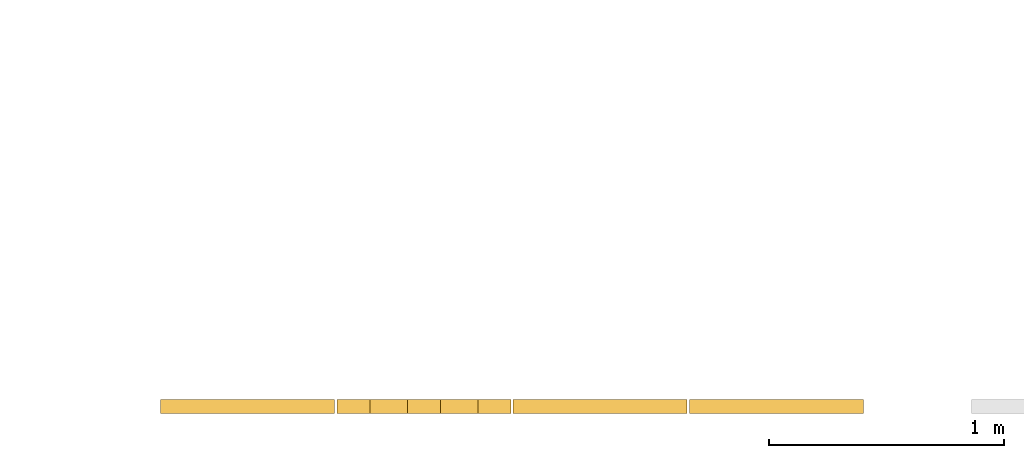
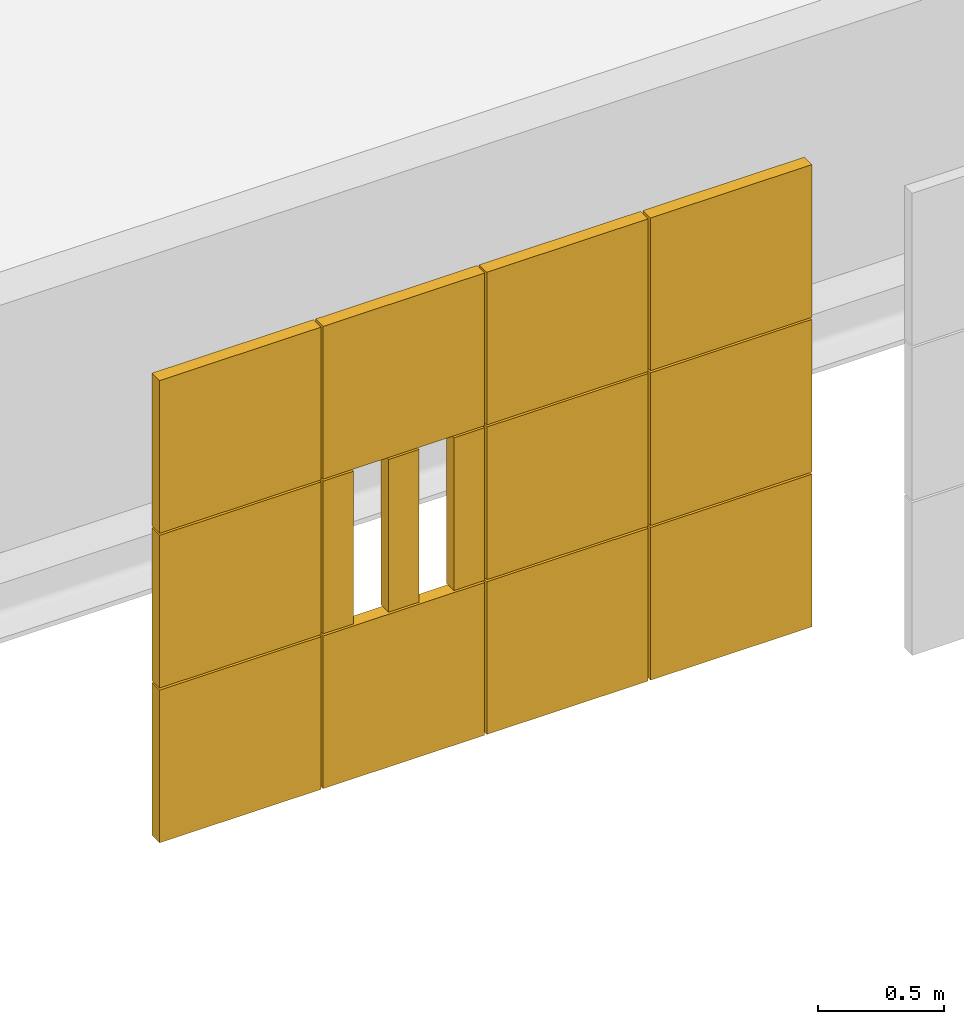
# One storey, part 73 of 98: 2 coverings.
"""IFC4 building model written with IfcOpenShell, lengths in metres."""

from ifc_helpers import new_model, si_unit, direction, frame, origin, origin_2d, place, context, subcontext, project, spatial, rectangle, extrude, material, layer, layer_set, type_object, element, save


model = new_model("IFC4")

# Units and contexts
model_context = context("Model", 3, precision=1e-05, world=origin(), true_north=direction((0.0, 1.0)))
body_context = subcontext(model_context, "Body", "Model", "MODEL_VIEW")
ifc_project = project(units=[si_unit("LENGTHUNIT", "METRE"), si_unit("AREAUNIT", "SQUARE_METRE"), si_unit("VOLUMEUNIT", "CUBIC_METRE"), si_unit("PLANEANGLEUNIT", "RADIAN"), si_unit("MASSUNIT", "GRAM", prefix="KILO")], contexts=[model_context])

# Site, building, storey
site_placement = place(None, origin())
site = spatial("IfcSite", under=ifc_project, at=site_placement, CompositionType="ELEMENT")
building_placement = place(site_placement, origin())
building = spatial("IfcBuilding", under=site, at=building_placement, Name="Sun Court Science Centre", CompositionType="ELEMENT")
storey_placement = place(building_placement, frame((0.0, 0.0, 15.75)))
storey = spatial("IfcBuildingStorey", under=building, at=storey_placement, Name="L03", CompositionType="ELEMENT", Elevation=15.75)

# Coverings
ifc_material_1 = material(Name="Red sandstone", Category="masonry")
ifc_layer_1 = layer(ifc_material_1, 0.06005859375)
ifc_layer_set_1 = layer_set([ifc_layer_1], Name="Red sandstone")
covering_type_1 = type_object("IfcCoveringType", Name="Red sandstone jali relief 750", PredefinedType="CLADDING", material=ifc_layer_set_1)
covering_1_placement = place(storey_placement, frame((0.0, 0.0, -15.75)))
element("IfcCovering", 1, at=covering_1_placement, inside=storey, type_object=covering_type_1, Name="Red sandstone jali relief portal-PORTAL-L L03", PredefinedType="CLADDING", context=body_context, shape_type="SweptSolid", body=[
    extrude(rectangle(XDim=0.139892578125, YDim=0.06005859375, at=origin_2d()), frame((37.72509765625, 3.969970703125, 16.5048828125), z_axis=(0.0, 0.0, 1.0), x_axis=(-1.0, 0.0, 0.0)), (0.0, 0.0, 1.0), 0.739990234375),
    extrude(rectangle(XDim=0.139892578125, YDim=0.06005859375, at=origin_2d()), frame((37.425048828125, 3.969970703125, 16.5048828125), z_axis=(0.0, 0.0, 1.0), x_axis=(-1.0, 0.0, 0.0)), (0.0, 0.0, 1.0), 0.739990234375),
    extrude(rectangle(XDim=0.139892578125, YDim=0.06005859375, at=origin_2d()), frame((37.125, 3.969970703125, 16.5048828125), z_axis=(0.0, 0.0, 1.0), x_axis=(-1.0, 0.0, 0.0)), (0.0, 0.0, 1.0), 0.739990234375),
])
ifc_material_2 = material(Name="Red sandstone", Category="masonry")
ifc_layer_2 = layer(ifc_material_2, 0.06005859375)
ifc_layer_set_2 = layer_set([ifc_layer_2], Name="Red sandstone")
covering_type_2 = type_object("IfcCoveringType", Name="Red sandstone wall cladding 750", PredefinedType="CLADDING", material=ifc_layer_set_2)
covering_2_placement = place(storey_placement, frame((0.0, 0.0, -15.75)))
element("IfcCovering", 2, at=covering_2_placement, inside=storey, type_object=covering_type_2, Name="Red sandstone wall cladding portal-PORTAL-L L03", PredefinedType="CLADDING", context=body_context, shape_type="SweptSolid", body=[
    extrude(rectangle(XDim=0.739990234375, YDim=0.06005859375, at=origin_2d()), frame((38.925048828125, 3.969970703125, 15.7548828125), z_axis=(0.0, 0.0, 1.0), x_axis=(-1.0, 0.0, 0.0)), (0.0, 0.0, 1.0), 0.739990234375),
    extrude(rectangle(XDim=0.739990234375, YDim=0.06005859375, at=origin_2d()), frame((38.175048828125, 3.969970703125, 15.7548828125), z_axis=(0.0, 0.0, 1.0), x_axis=(-1.0, 0.0, 0.0)), (0.0, 0.0, 1.0), 0.739990234375),
    extrude(rectangle(XDim=0.739990234375, YDim=0.06005859375, at=origin_2d()), frame((37.425048828125, 3.969970703125, 15.7548828125), z_axis=(0.0, 0.0, 1.0), x_axis=(-1.0, 0.0, 0.0)), (0.0, 0.0, 1.0), 0.739990234375),
    extrude(rectangle(XDim=0.739990234375, YDim=0.06005859375, at=origin_2d()), frame((36.675048828125, 3.969970703125, 15.7548828125), z_axis=(0.0, 0.0, 1.0), x_axis=(-1.0, 0.0, 0.0)), (0.0, 0.0, 1.0), 0.739990234375),
    extrude(rectangle(XDim=0.739990234375, YDim=0.06005859375, at=origin_2d()), frame((38.925048828125, 3.969970703125, 16.5048828125), z_axis=(0.0, 0.0, 1.0), x_axis=(-1.0, 0.0, 0.0)), (0.0, 0.0, 1.0), 0.739990234375),
    extrude(rectangle(XDim=0.739990234375, YDim=0.06005859375, at=origin_2d()), frame((38.175048828125, 3.969970703125, 16.5048828125), z_axis=(0.0, 0.0, 1.0), x_axis=(-1.0, 0.0, 0.0)), (0.0, 0.0, 1.0), 0.739990234375),
    extrude(rectangle(XDim=0.739990234375, YDim=0.06005859375, at=origin_2d()), frame((36.675048828125, 3.969970703125, 16.5048828125), z_axis=(0.0, 0.0, 1.0), x_axis=(-1.0, 0.0, 0.0)), (0.0, 0.0, 1.0), 0.739990234375),
    extrude(rectangle(XDim=0.739990234375, YDim=0.06005859375, at=origin_2d()), frame((38.925048828125, 3.969970703125, 17.2548828125), z_axis=(0.0, 0.0, 1.0), x_axis=(-1.0, 0.0, 0.0)), (0.0, 0.0, 1.0), 0.739990234375),
    extrude(rectangle(XDim=0.739990234375, YDim=0.06005859375, at=origin_2d()), frame((38.175048828125, 3.969970703125, 17.2548828125), z_axis=(0.0, 0.0, 1.0), x_axis=(-1.0, 0.0, 0.0)), (0.0, 0.0, 1.0), 0.739990234375),
    extrude(rectangle(XDim=0.739990234375, YDim=0.06005859375, at=origin_2d()), frame((37.425048828125, 3.969970703125, 17.2548828125), z_axis=(0.0, 0.0, 1.0), x_axis=(-1.0, 0.0, 0.0)), (0.0, 0.0, 1.0), 0.739990234375),
    extrude(rectangle(XDim=0.739990234375, YDim=0.06005859375, at=origin_2d()), frame((36.675048828125, 3.969970703125, 17.2548828125), z_axis=(0.0, 0.0, 1.0), x_axis=(-1.0, 0.0, 0.0)), (0.0, 0.0, 1.0), 0.739990234375),
])

save(model, "model.ifc")
